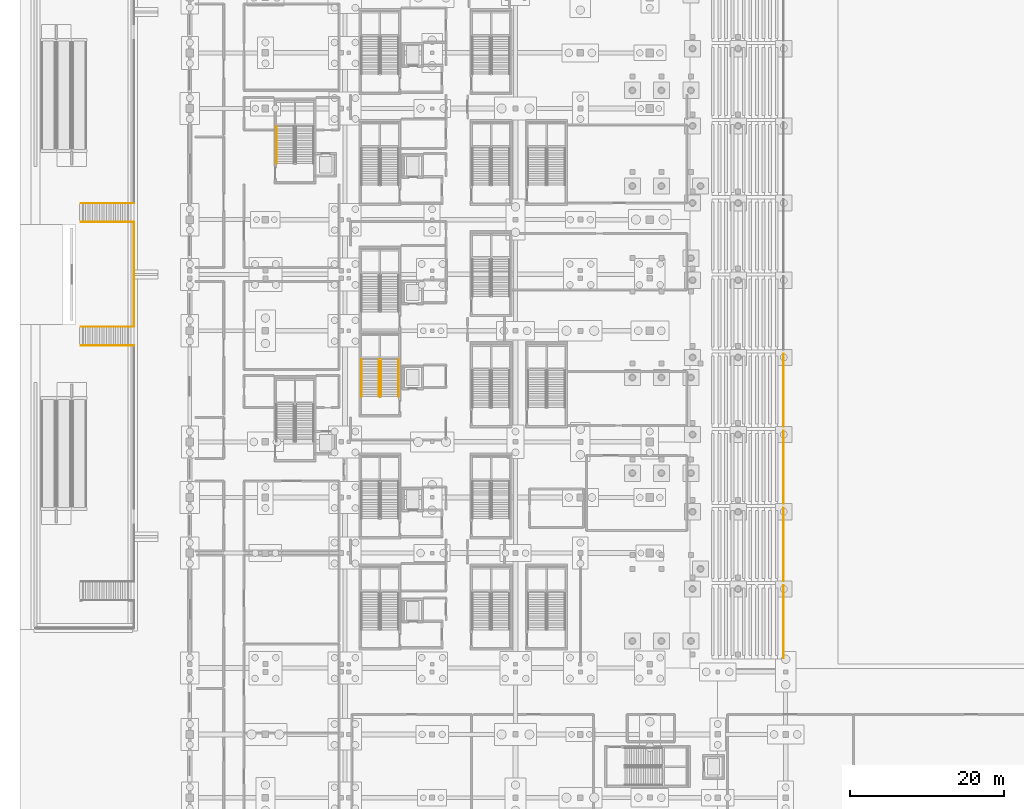
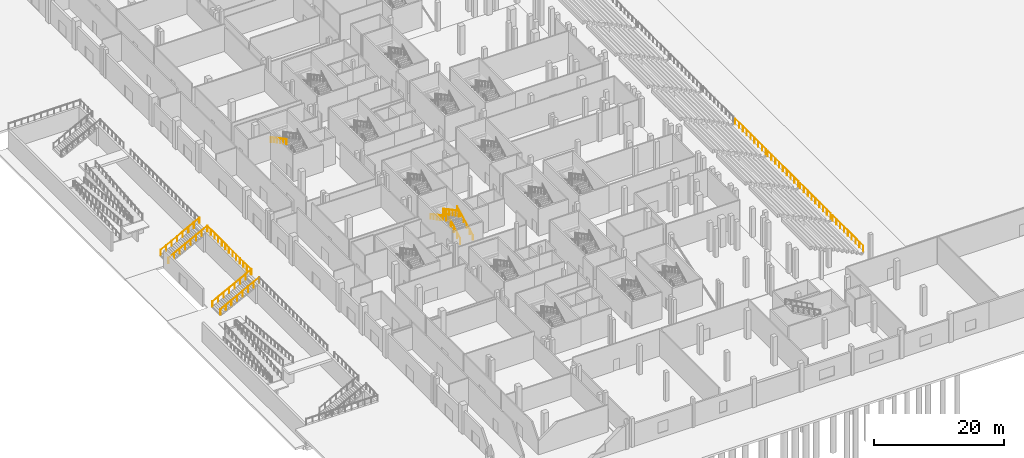
# One storey, part 64 of 89: 14 railings.
"""IFC4 building model written with IfcOpenShell, lengths in metres."""

from ifc_helpers import new_model, si_unit, direction, frame, origin, origin_2d, place, context, subcontext, project, spatial, circle, extrude, material, type_object, element, save


model = new_model("IFC4")

# Units and contexts
model_context = context("Model", 3, precision=1e-05, world=origin(), true_north=direction((0.0, 1.0)))
body_context = subcontext(model_context, "Body", "Model", "MODEL_VIEW")
ifc_project = project(units=[si_unit("LENGTHUNIT", "METRE"), si_unit("AREAUNIT", "SQUARE_METRE"), si_unit("VOLUMEUNIT", "CUBIC_METRE"), si_unit("PLANEANGLEUNIT", "RADIAN"), si_unit("MASSUNIT", "GRAM", prefix="KILO")], contexts=[model_context])

# Site, building, storey
site_placement = place(None, origin())
site = spatial("IfcSite", under=ifc_project, at=site_placement, CompositionType="ELEMENT")
building_placement = place(site_placement, origin())
building = spatial("IfcBuilding", under=site, at=building_placement, Name="Koshinbarg Plaza Stadium", CompositionType="ELEMENT")
storey_placement = place(building_placement, origin())
storey = spatial("IfcBuildingStorey", under=building, at=storey_placement, Name="L00", CompositionType="ELEMENT", Elevation=0.0)

# Railings
ifc_material_1 = material(Name="Toughened laminated glass and stainless steel sightline balustrade", Category="steel")
railing_type_1 = type_object("IfcRailingType", Name="RL-BOWL-1100", PredefinedType="BALUSTRADE", material=ifc_material_1)
for number, where, name in (
    (1, (80.919921875, 26.280029296875, 1.02001953125), "LT-W01 front stand crowd barrier"),
    (2, (80.919921875, 36.280029296875, 1.02001953125), "LT-W02 front stand crowd barrier"),
    (3, (80.919921875, 46.280029296875, 1.02001953125), "LT-W03 front stand crowd barrier"),
    (4, (80.919921875, 56.280029296875, 1.02001953125), "LT-W04 front stand crowd barrier"),
):
    element("IfcRailing", number, at=place(storey_placement, frame(where)), inside=storey, type_object=railing_type_1, Name=name, PredefinedType="BALUSTRADE", context=body_context, shape_type="SweptSolid", body=[
        extrude(circle(Radius=0.02392578125, at=origin_2d()), frame((0.0, 0.0, 1.076171875), z_axis=(0.0, 1.0, 0.0), x_axis=(-1.0, 0.0, 0.0)), (0.0, 0.0, 1.0), 9.43994140625),
        extrude(circle(Radius=0.02099609375, at=origin_2d()), origin(), (0.0, 0.0, 1.0), 1.052001953125),
        extrude(circle(Radius=0.02099609375, at=origin_2d()), frame((0.0, 1.179931640625, 0.0)), (0.0, 0.0, 1.0), 1.052001953125),
        extrude(circle(Radius=0.02099609375, at=origin_2d()), frame((0.0, 2.35986328125, 0.0)), (0.0, 0.0, 1.0), 1.052001953125),
        extrude(circle(Radius=0.02099609375, at=origin_2d()), frame((0.0, 3.5400390625, 0.0)), (0.0, 0.0, 1.0), 1.052001953125),
        extrude(circle(Radius=0.02099609375, at=origin_2d()), frame((0.0, 4.719970703125, 0.0)), (0.0, 0.0, 1.0), 1.052001953125),
        extrude(circle(Radius=0.02099609375, at=origin_2d()), frame((0.0, 5.89990234375, 0.0)), (0.0, 0.0, 1.0), 1.052001953125),
        extrude(circle(Radius=0.02099609375, at=origin_2d()), frame((0.0, 7.080078125, 0.0)), (0.0, 0.0, 1.0), 1.052001953125),
        extrude(circle(Radius=0.02099609375, at=origin_2d()), frame((0.0, 8.260009765625, 0.0)), (0.0, 0.0, 1.0), 1.052001953125),
        extrude(circle(Radius=0.02099609375, at=origin_2d()), frame((0.0, 9.43994140625, 0.0)), (0.0, 0.0, 1.0), 1.052001953125),
    ])
ifc_material_2 = material(Name="Galvanized painted steel guardrail", Category="steel")
railing_type_2 = type_object("IfcRailingType", Name="RL-GUARD-1100", PredefinedType="GUARDRAIL", material=ifc_material_2)
for number, where, name in (
    (5, (-10.10009765625, 66.780029296875, -3.60009765625), "ST-FC-02 ceremonial stair guard S"),
    (6, (-10.10009765625, 69.219970703125, -3.60009765625), "ST-FC-02 ceremonial stair guard N"),
    (7, (-10.10009765625, 82.780029296875, -3.60009765625), "ST-FC-03 ceremonial stair guard S"),
    (8, (-10.10009765625, 85.219970703125, -3.60009765625), "ST-FC-03 ceremonial stair guard N"),
):
    element("IfcRailing", number, at=place(storey_placement, frame(where)), inside=storey, type_object=railing_type_2, Name=name, PredefinedType="GUARDRAIL", context=body_context, shape_type="SweptSolid", body=[
        extrude(circle(Radius=0.02392578125, at=origin_2d()), frame((0.0, 0.0, 1.076171875), z_axis=(0.886583727504, 0.0, 0.46256815079), x_axis=(0.0, 1.0, 0.0)), (0.0, 0.0, 1.0), 7.782958984375),
        extrude(circle(Radius=0.02099609375, at=origin_2d()), origin(), (0.0, 0.0, 1.0), 1.052001953125),
        extrude(circle(Radius=0.02099609375, at=origin_2d()), frame((0.98583984375, 0.0, 0.514404296875)), (0.0, 0.0, 1.0), 1.052001953125),
        extrude(circle(Radius=0.02099609375, at=origin_2d()), frame((1.971435546875, 0.0, 1.028564453125)), (0.0, 0.0, 1.0), 1.052001953125),
        extrude(circle(Radius=0.02099609375, at=origin_2d()), frame((2.957275390625, 0.0, 1.54296875)), (0.0, 0.0, 1.0), 1.052001953125),
        extrude(circle(Radius=0.02099609375, at=origin_2d()), frame((3.94287109375, 0.0, 2.05712890625)), (0.0, 0.0, 1.0), 1.052001953125),
        extrude(circle(Radius=0.02099609375, at=origin_2d()), frame((4.9287109375, 0.0, 2.571533203125)), (0.0, 0.0, 1.0), 1.052001953125),
        extrude(circle(Radius=0.02099609375, at=origin_2d()), frame((5.914306640625, 0.0, 3.085693359375)), (0.0, 0.0, 1.0), 1.052001953125),
        extrude(circle(Radius=0.02099609375, at=origin_2d()), frame((6.900146484375, 0.0, 3.60009765625)), (0.0, 0.0, 1.0), 1.052001953125),
    ])
railing_1_placement = place(storey_placement, frame((-3.25, 69.35009765625, 0.0)))
element("IfcRailing", 9, at=railing_1_placement, inside=storey, type_object=railing_type_2, Name="Sunken metro forecourt rim guard 5", PredefinedType="GUARDRAIL", context=body_context, shape_type="SweptSolid", body=[
    extrude(circle(Radius=0.02392578125, at=origin_2d()), frame((0.0, 0.0, 1.076171875), z_axis=(0.0, 1.0, 0.0), x_axis=(-1.0, 0.0, 0.0)), (0.0, 0.0, 1.0), 13.2998046875),
    extrude(circle(Radius=0.02099609375, at=origin_2d()), origin(), (0.0, 0.0, 1.0), 1.052001953125),
    extrude(circle(Radius=0.02099609375, at=origin_2d()), frame((0.0, 1.1083984375, 0.0)), (0.0, 0.0, 1.0), 1.052001953125),
    extrude(circle(Radius=0.02099609375, at=origin_2d()), frame((0.0, 2.216552734375, 0.0)), (0.0, 0.0, 1.0), 1.052001953125),
    extrude(circle(Radius=0.02099609375, at=origin_2d()), frame((0.0, 3.324951171875, 0.0)), (0.0, 0.0, 1.0), 1.052001953125),
    extrude(circle(Radius=0.02099609375, at=origin_2d()), frame((0.0, 4.433349609375, 0.0)), (0.0, 0.0, 1.0), 1.052001953125),
    extrude(circle(Radius=0.02099609375, at=origin_2d()), frame((0.0, 5.54150390625, 0.0)), (0.0, 0.0, 1.0), 1.052001953125),
    extrude(circle(Radius=0.02099609375, at=origin_2d()), frame((0.0, 6.64990234375, 0.0)), (0.0, 0.0, 1.0), 1.052001953125),
    extrude(circle(Radius=0.02099609375, at=origin_2d()), frame((0.0, 7.75830078125, 0.0)), (0.0, 0.0, 1.0), 1.052001953125),
    extrude(circle(Radius=0.02099609375, at=origin_2d()), frame((0.0, 8.866455078125, 0.0)), (0.0, 0.0, 1.0), 1.052001953125),
    extrude(circle(Radius=0.02099609375, at=origin_2d()), frame((0.0, 9.974853515625, 0.0)), (0.0, 0.0, 1.0), 1.052001953125),
    extrude(circle(Radius=0.02099609375, at=origin_2d()), frame((0.0, 11.083251953125, 0.0)), (0.0, 0.0, 1.0), 1.052001953125),
    extrude(circle(Radius=0.02099609375, at=origin_2d()), frame((0.0, 12.19140625, 0.0)), (0.0, 0.0, 1.0), 1.052001953125),
    extrude(circle(Radius=0.02099609375, at=origin_2d()), frame((0.0, 13.2998046875, 0.0)), (0.0, 0.0, 1.0), 1.052001953125),
])
railing_2_placement = place(storey_placement, frame((28.760009765625, 60.159912109375, 0.158935546875)))
element("IfcRailing", 10, at=railing_2_placement, inside=storey, type_object=railing_type_2, Name="L00 C03 stair guard 1", PredefinedType="GUARDRAIL", context=body_context, shape_type="SweptSolid", body=[
    extrude(circle(Radius=0.02392578125, at=origin_2d()), frame((0.0, 0.0, 1.076171875), z_axis=(0.0, 0.883802130504, 0.467860870469), x_axis=(-1.0, 0.0, 0.0)), (0.0, 0.0, 1.0), 5.43115234375),
    extrude(circle(Radius=0.02099609375, at=origin_2d()), origin(), (0.0, 0.0, 1.0), 1.052001953125),
    extrude(circle(Radius=0.02099609375, at=origin_2d()), frame((0.0, 0.9599609375, 0.50830078125)), (0.0, 0.0, 1.0), 1.052001953125),
    extrude(circle(Radius=0.02099609375, at=origin_2d()), frame((0.0, 1.919921875, 1.016357421875)), (0.0, 0.0, 1.0), 1.052001953125),
    extrude(circle(Radius=0.02099609375, at=origin_2d()), frame((0.0, 2.880126953125, 1.524658203125)), (0.0, 0.0, 1.0), 1.052001953125),
    extrude(circle(Radius=0.02099609375, at=origin_2d()), frame((0.0, 3.840087890625, 2.03271484375)), (0.0, 0.0, 1.0), 1.052001953125),
    extrude(circle(Radius=0.02099609375, at=origin_2d()), frame((0.0, 4.800048828125, 2.541015625)), (0.0, 0.0, 1.0), 1.052001953125),
])
railing_3_placement = place(storey_placement, frame((28.510009765625, 64.9599609375, 2.85888671875)))
element("IfcRailing", 11, at=railing_3_placement, inside=storey, type_object=railing_type_2, Name="L00 C03 stair guard 3", PredefinedType="GUARDRAIL", context=body_context, shape_type="SweptSolid", body=[
    extrude(circle(Radius=0.02392578125, at=origin_2d()), frame((0.0, 0.0, 1.076171875), z_axis=(0.0, -0.883802130504, 0.467860870469), x_axis=(1.0, 0.0, 0.0)), (0.0, 0.0, 1.0), 5.43115234375),
    extrude(circle(Radius=0.02099609375, at=origin_2d()), origin(), (0.0, 0.0, 1.0), 1.052001953125),
    extrude(circle(Radius=0.02099609375, at=origin_2d()), frame((0.0, -0.9599609375, 0.50830078125)), (0.0, 0.0, 1.0), 1.052001953125),
    extrude(circle(Radius=0.02099609375, at=origin_2d()), frame((0.0, -1.919921875, 1.016357421875)), (0.0, 0.0, 1.0), 1.052001953125),
    extrude(circle(Radius=0.02099609375, at=origin_2d()), frame((0.0, -2.880126953125, 1.524658203125)), (0.0, 0.0, 1.0), 1.052001953125),
    extrude(circle(Radius=0.02099609375, at=origin_2d()), frame((0.0, -3.840087890625, 2.03271484375)), (0.0, 0.0, 1.0), 1.052001953125),
    extrude(circle(Radius=0.02099609375, at=origin_2d()), frame((0.0, -4.800048828125, 2.541015625)), (0.0, 0.0, 1.0), 1.052001953125),
])
ifc_material_3 = material(Name="Brushed stainless steel handrail", Category="steel")
railing_type_3 = type_object("IfcRailingType", Name="RL-HAND-900", PredefinedType="HANDRAIL", material=ifc_material_3)
railing_4_placement = place(storey_placement, frame((31.02001953125, 60.159912109375, 0.158935546875)))
element("IfcRailing", 12, at=railing_4_placement, inside=storey, type_object=railing_type_3, Name="L00 C03 stair handrail 1", PredefinedType="HANDRAIL", context=body_context, shape_type="SweptSolid", body=[
    extrude(circle(Radius=0.02392578125, at=origin_2d()), frame((0.0, 0.0, 0.8759765625), z_axis=(0.0, 0.883802130504, 0.467860870469), x_axis=(-1.0, 0.0, 0.0)), (0.0, 0.0, 1.0), 5.43115234375),
    extrude(circle(Radius=0.02099609375, at=origin_2d()), origin(), (0.0, 0.0, 1.0), 0.851806640625),
    extrude(circle(Radius=0.02099609375, at=origin_2d()), frame((0.0, 0.9599609375, 0.50830078125)), (0.0, 0.0, 1.0), 0.851806640625),
    extrude(circle(Radius=0.02099609375, at=origin_2d()), frame((0.0, 1.919921875, 1.016357421875)), (0.0, 0.0, 1.0), 0.851806640625),
    extrude(circle(Radius=0.02099609375, at=origin_2d()), frame((0.0, 2.880126953125, 1.524658203125)), (0.0, 0.0, 1.0), 0.851806640625),
    extrude(circle(Radius=0.02099609375, at=origin_2d()), frame((0.0, 3.840087890625, 2.03271484375)), (0.0, 0.0, 1.0), 0.851806640625),
    extrude(circle(Radius=0.02099609375, at=origin_2d()), frame((0.0, 4.800048828125, 2.541015625)), (0.0, 0.0, 1.0), 0.851806640625),
])
railing_5_placement = place(storey_placement, frame((26.25, 64.9599609375, 2.85888671875)))
element("IfcRailing", 13, at=railing_5_placement, inside=storey, type_object=railing_type_3, Name="L00 C03 stair handrail 2", PredefinedType="HANDRAIL", context=body_context, shape_type="SweptSolid", body=[
    extrude(circle(Radius=0.02392578125, at=origin_2d()), frame((0.0, 0.0, 0.8759765625), z_axis=(0.0, -0.883802130504, 0.467860870469), x_axis=(1.0, 0.0, 0.0)), (0.0, 0.0, 1.0), 5.43115234375),
    extrude(circle(Radius=0.02099609375, at=origin_2d()), origin(), (0.0, 0.0, 1.0), 0.851806640625),
    extrude(circle(Radius=0.02099609375, at=origin_2d()), frame((0.0, -0.9599609375, 0.50830078125)), (0.0, 0.0, 1.0), 0.851806640625),
    extrude(circle(Radius=0.02099609375, at=origin_2d()), frame((0.0, -1.919921875, 1.016357421875)), (0.0, 0.0, 1.0), 0.851806640625),
    extrude(circle(Radius=0.02099609375, at=origin_2d()), frame((0.0, -2.880126953125, 1.524658203125)), (0.0, 0.0, 1.0), 0.851806640625),
    extrude(circle(Radius=0.02099609375, at=origin_2d()), frame((0.0, -3.840087890625, 2.03271484375)), (0.0, 0.0, 1.0), 0.851806640625),
    extrude(circle(Radius=0.02099609375, at=origin_2d()), frame((0.0, -4.800048828125, 2.541015625)), (0.0, 0.0, 1.0), 0.851806640625),
])
railing_6_placement = place(storey_placement, frame((15.25, 95.159912109375, 2.85888671875)))
element("IfcRailing", 14, at=railing_6_placement, inside=storey, type_object=railing_type_3, Name="L00 C15 stair handrail 2", PredefinedType="HANDRAIL", context=body_context, shape_type="SweptSolid", body=[
    extrude(circle(Radius=0.02392578125, at=origin_2d()), frame((0.0, 0.0, 0.8759765625), z_axis=(0.0, -0.883792290195, 0.467879458614), x_axis=(1.0, 0.0, 0.0)), (0.0, 0.0, 1.0), 5.430908203125),
    extrude(circle(Radius=0.02099609375, at=origin_2d()), origin(), (0.0, 0.0, 1.0), 0.851806640625),
    extrude(circle(Radius=0.02099609375, at=origin_2d()), frame((0.0, -0.9599609375, 0.50830078125)), (0.0, 0.0, 1.0), 0.851806640625),
    extrude(circle(Radius=0.02099609375, at=origin_2d()), frame((0.0, -1.919921875, 1.016357421875)), (0.0, 0.0, 1.0), 0.851806640625),
    extrude(circle(Radius=0.02099609375, at=origin_2d()), frame((0.0, -2.8798828125, 1.524658203125)), (0.0, 0.0, 1.0), 0.851806640625),
    extrude(circle(Radius=0.02099609375, at=origin_2d()), frame((0.0, -3.83984375, 2.03271484375)), (0.0, 0.0, 1.0), 0.851806640625),
    extrude(circle(Radius=0.02099609375, at=origin_2d()), frame((0.0, -4.7998046875, 2.541015625)), (0.0, 0.0, 1.0), 0.851806640625),
])

save(model, "model.ifc")
